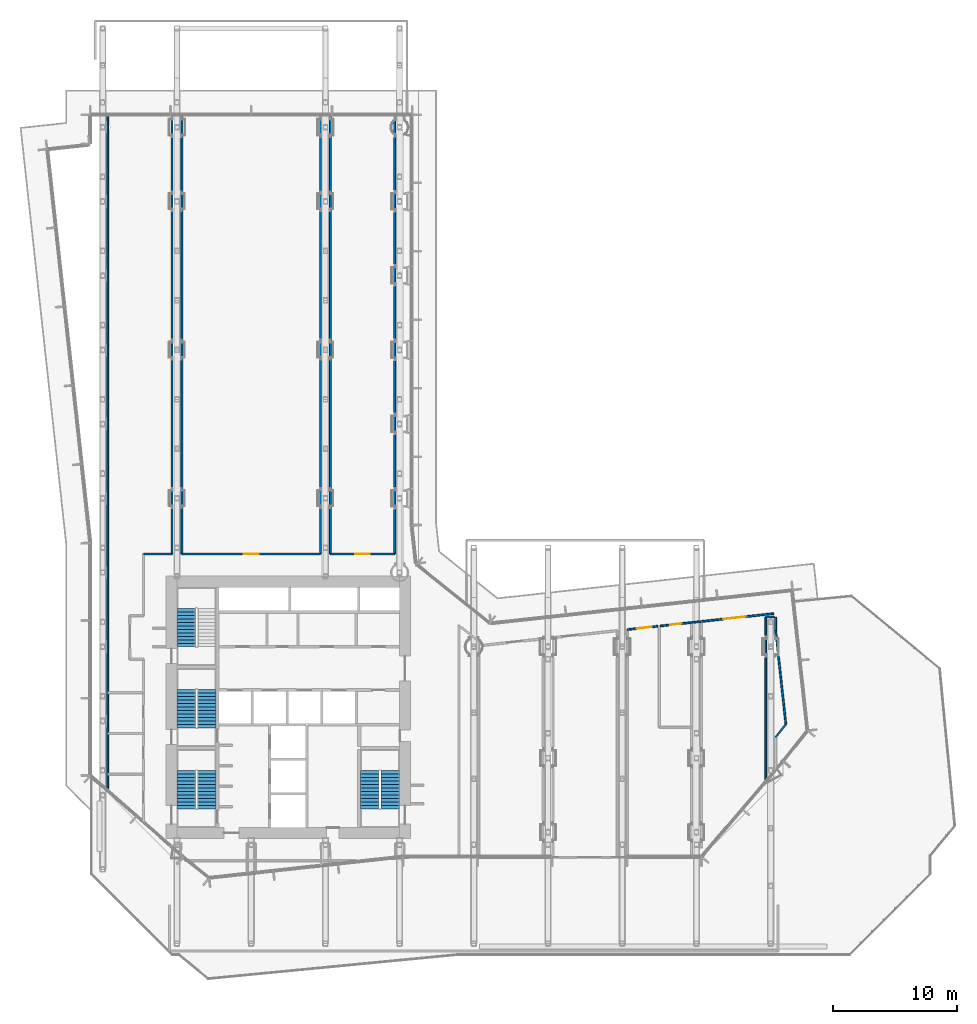
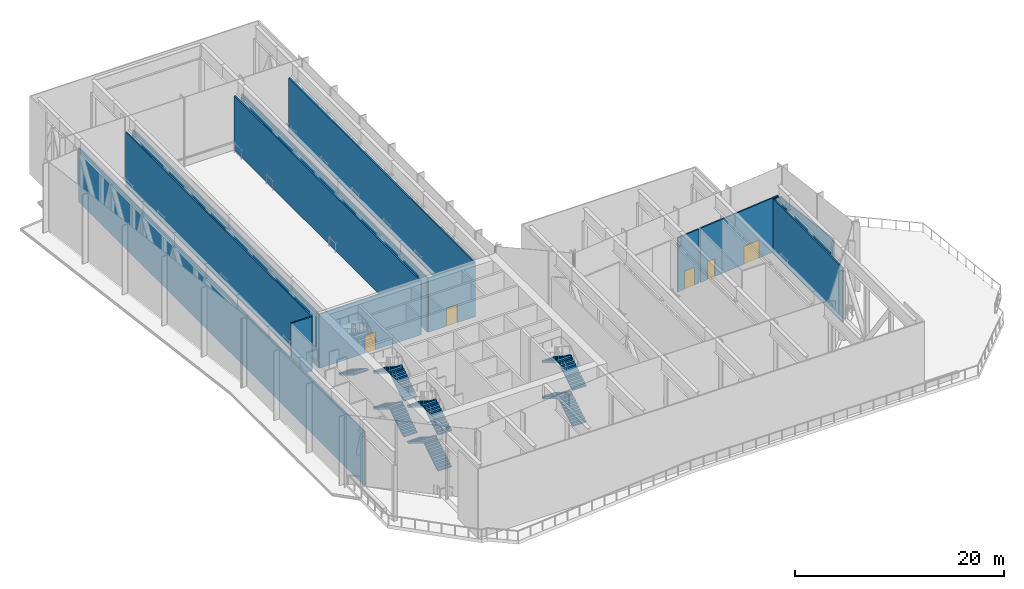
# One storey, part 16 of 25: 17 walls, 13 stair flights, 5 doors, 5 openings, 4 elements without a shape of their own.
"""IFC4 building model written with IfcOpenShell, lengths in metres."""

from ifc_helpers import new_model, si_unit, direction, frame, frame_2d, origin, place, context, subcontext, project, spatial, polyline, rectangle, outline, extrude, material, layer, layer_set, type_object, element, fill, aggregate, save


model = new_model("IFC4")

# Units and contexts
model_context = context("Model", 3, precision=1e-05, world=origin(), true_north=direction((0.0, 1.0)))
body_context = subcontext(model_context, "Body", "Model", "MODEL_VIEW")
ifc_project = project(units=[si_unit("LENGTHUNIT", "METRE"), si_unit("AREAUNIT", "SQUARE_METRE"), si_unit("VOLUMEUNIT", "CUBIC_METRE"), si_unit("PLANEANGLEUNIT", "RADIAN"), si_unit("MASSUNIT", "GRAM", prefix="KILO")], contexts=[model_context])

# Site, building, storey
site_placement = place(None, origin())
site = spatial("IfcSite", under=ifc_project, at=site_placement, CompositionType="ELEMENT")
building_placement = place(site_placement, origin())
building = spatial("IfcBuilding", under=site, at=building_placement, Name="Welwitschia Terrace Campus", CompositionType="ELEMENT")
storey_placement = place(building_placement, frame((0.0, 0.0, 79.39990234375)))
storey = spatial("IfcBuildingStorey", under=building, at=storey_placement, Name="L18", CompositionType="ELEMENT", Elevation=79.39990234375)

# Walls
ifc_material_1 = material(Name="Gypsum board on steel studs", Category="steel")
ifc_layer = layer(ifc_material_1, 0.14990234375)
ifc_layer_set = layer_set([ifc_layer], Name="Gypsum board on steel studs")
wall_type = type_object("IfcWallType", Name="Corridor partition 150 EI 30", PredefinedType="PARTITIONING", material=ifc_layer_set)
wall_1_placement = place(storey_placement, frame((0.39990234375, 8.35009765625, 0.0), z_axis=(0.0, 0.0, 1.0), x_axis=(0.0, 1.0, 0.0)))
element("IfcWall", 1, at=wall_1_placement, inside=storey, type_object=wall_type, Name="Partition", PredefinedType="PARTITIONING", context=body_context, shape_type="SweptSolid", body=[
    extrude(rectangle(XDim=54.64990234375, YDim=0.14990234375, at=frame_2d((27.324951171875, 0.0))), origin(), (0.0, 0.0, 1.0), 6.330078125),
])
wall_2_placement = place(storey_placement, frame((3.300048828125, 27.5, 0.0), z_axis=(0.0, 0.0, 1.0), x_axis=(1.0, 0.0, 0.0)))
element("IfcWall", 2, at=wall_2_placement, inside=storey, type_object=wall_type, Name="Partition", PredefinedType="PARTITIONING", context=body_context, shape_type="SweptSolid", body=[
    extrude(rectangle(XDim=2.300048828125, YDim=0.14990234375, at=frame_2d((1.14990234375, 0.0))), origin(), (0.0, 0.0, 1.0), 6.330078125),
])
wall_3_placement = place(storey_placement, frame((5.60009765625, 27.5, 0.0), z_axis=(0.0, 0.0, 1.0), x_axis=(0.0, 1.0, 0.0)))
element("IfcWall", 3, at=wall_3_placement, inside=storey, type_object=wall_type, Name="Partition", PredefinedType="PARTITIONING", context=body_context, shape_type="SweptSolid", body=[
    extrude(rectangle(XDim=35.465087890625, YDim=0.14990234375, at=frame_2d((17.732421875, 0.0))), origin(), (0.0, 0.0, 1.0), 6.330078125),
])
wall_4_placement = place(storey_placement, frame((6.39990234375, 27.5, 0.0), z_axis=(0.0, 0.0, 1.0), x_axis=(0.0, 1.0, 0.0)))
element("IfcWall", 4, at=wall_4_placement, inside=storey, type_object=wall_type, Name="Partition", PredefinedType="PARTITIONING", context=body_context, shape_type="SweptSolid", body=[
    extrude(rectangle(XDim=35.5, YDim=0.14990234375, at=frame_2d((17.75, 0.0))), origin(), (0.0, 0.0, 1.0), 6.330078125),
])

# Wall, opening, door
wall_5_placement = place(storey_placement, frame((6.39990234375, 27.5, 0.0), z_axis=(0.0, 0.0, 1.0), x_axis=(1.0, 0.0, 0.0)))
wall_5 = element("IfcWall", 5, at=wall_5_placement, inside=storey, type_object=wall_type, Name="Partition", PredefinedType="PARTITIONING", context=body_context, shape_type="SweptSolid", body=[
    extrude(rectangle(XDim=11.2001953125, YDim=0.14990234375, at=frame_2d((5.60009765625, 0.0))), origin(), (0.0, 0.0, 1.0), 6.330078125),
])
opening_1_placement = place(wall_5_placement, frame((5.0, 0.0, 0.0)))
opening_1 = element("IfcOpeningElement", 6, at=opening_1_placement, cuts=wall_5, Name="Opening DI12", PredefinedType="OPENING", context=body_context, shape_type="SweptSolid", body=[
    extrude(rectangle(XDim=1.199951171875, YDim=2.10009765625, at=frame_2d((0.60009765625, 1.050048828125))), frame((0.0, 0.0849609375, 0.0), z_axis=(0.0, -1.0, 0.0), x_axis=(1.0, 0.0, 0.0)), (0.0, 0.0, 1.0), 0.169921875),
])
ifc_material_2 = material(Name="Timber veneered door", Category="wood")
door_type_1 = type_object("IfcDoorType", Name="Interior door DI12", OperationType="NOTDEFINED", PredefinedType="DOOR", material=ifc_material_2)
door_1_placement = place(opening_1_placement, origin())
door_1 = element("IfcDoor", 7, at=door_1_placement, inside=storey, type_object=door_type_1, Name="Door L18 413", OperationType="SINGLE_SWING_RIGHT", OverallHeight=2.10009765625, OverallWidth=1.199951171875, PredefinedType="DOOR", context=body_context, shape_type="SweptSolid", body=[
    extrude(rectangle(XDim=1.199951171875, YDim=2.10009765625, at=frame_2d((0.60009765625, 1.050048828125))), frame((0.0, 0.02490234375, 0.0), z_axis=(0.0, -1.0, 0.0), x_axis=(1.0, 0.0, 0.0)), (0.0, 0.0, 1.0), 0.050048828125),
])
fill(opening_1, door_1)

# Walls
wall_6_placement = place(storey_placement, frame((17.60009765625, 27.5, 0.0), z_axis=(0.0, 0.0, 1.0), x_axis=(0.0, 1.0, 0.0)))
element("IfcWall", 8, at=wall_6_placement, inside=storey, type_object=wall_type, Name="Partition", PredefinedType="PARTITIONING", context=body_context, shape_type="SweptSolid", body=[
    extrude(rectangle(XDim=35.5, YDim=0.14990234375, at=frame_2d((17.75, 0.0))), origin(), (0.0, 0.0, 1.0), 6.330078125),
])
wall_7_placement = place(storey_placement, frame((18.39990234375, 27.5, 0.0), z_axis=(0.0, 0.0, 1.0), x_axis=(0.0, 1.0, 0.0)))
element("IfcWall", 9, at=wall_7_placement, inside=storey, type_object=wall_type, Name="Partition", PredefinedType="PARTITIONING", context=body_context, shape_type="SweptSolid", body=[
    extrude(rectangle(XDim=35.465087890625, YDim=0.14990234375, at=frame_2d((17.732421875, 0.0))), origin(), (0.0, 0.0, 1.0), 6.330078125),
])

# Wall, opening, door
wall_8_placement = place(storey_placement, frame((18.39990234375, 27.5, 0.0), z_axis=(0.0, 0.0, 1.0), x_axis=(1.0, 0.0, 0.0)))
wall_8 = element("IfcWall", 10, at=wall_8_placement, inside=storey, type_object=wall_type, Name="Partition", PredefinedType="PARTITIONING", context=body_context, shape_type="SweptSolid", body=[
    extrude(rectangle(XDim=5.2001953125, YDim=0.14990234375, at=frame_2d((2.60009765625, 0.0))), origin(), (0.0, 0.0, 1.0), 6.330078125),
])
opening_2_placement = place(wall_8_placement, frame((2.0, 0.0, 0.0)))
opening_2 = element("IfcOpeningElement", 11, at=opening_2_placement, cuts=wall_8, Name="Opening DI12", PredefinedType="OPENING", context=body_context, shape_type="SweptSolid", body=[
    extrude(rectangle(XDim=1.199951171875, YDim=2.10009765625, at=frame_2d((0.60009765625, 1.050048828125))), frame((0.0, 0.0849609375, 0.0), z_axis=(0.0, -1.0, 0.0), x_axis=(1.0, 0.0, 0.0)), (0.0, 0.0, 1.0), 0.169921875),
])
door_2_placement = place(opening_2_placement, origin())
door_2 = element("IfcDoor", 12, at=door_2_placement, inside=storey, type_object=door_type_1, Name="Door L18 414", OperationType="SINGLE_SWING_LEFT", OverallHeight=2.10009765625, OverallWidth=1.199951171875, PredefinedType="DOOR", context=body_context, shape_type="SweptSolid", body=[
    extrude(rectangle(XDim=1.199951171875, YDim=2.10009765625, at=frame_2d((0.60009765625, 1.050048828125))), frame((0.0, 0.02490234375, 0.0), z_axis=(0.0, -1.0, 0.0), x_axis=(1.0, 0.0, 0.0)), (0.0, 0.0, 1.0), 0.050048828125),
])
fill(opening_2, door_2)

# Wall
wall_9_placement = place(storey_placement, frame((23.60009765625, 27.5, 0.0), z_axis=(0.0, 0.0, 1.0), x_axis=(0.0, 1.0, 0.0)))
element("IfcWall", 13, at=wall_9_placement, inside=storey, type_object=wall_type, Name="Partition", PredefinedType="PARTITIONING", context=body_context, shape_type="SweptSolid", body=[
    extrude(rectangle(XDim=35.5, YDim=0.14990234375, at=frame_2d((17.75, 0.0))), origin(), (0.0, 0.0, 1.0), 6.330078125),
])

# Wall, opening, door
wall_10_placement = place(storey_placement, frame((44.8701171875, 21.656005859375, 0.0), z_axis=(0.0, 0.0, 1.0), x_axis=(-0.994099865358, -0.10846869454, 0.0)))
wall_10 = element("IfcWall", 14, at=wall_10_placement, inside=storey, type_object=wall_type, Name="Partition", PredefinedType="PARTITIONING", context=body_context, shape_type="SweptSolid", body=[
    extrude(rectangle(XDim=2.48486328125, YDim=0.14990234375, at=frame_2d((1.242431640625, 0.0))), origin(), (0.0, 0.0, 1.0), 6.330078125),
])
opening_3_placement = place(wall_10_placement, frame((0.5, 0.0, 0.0)))
opening_3 = element("IfcOpeningElement", 15, at=opening_3_placement, cuts=wall_10, Name="Opening DI12", PredefinedType="OPENING", context=body_context, shape_type="SweptSolid", body=[
    extrude(rectangle(XDim=1.199951171875, YDim=2.10009765625, at=frame_2d((0.60009765625, 1.050048828125))), frame((0.0, 0.0849609375, 0.0), z_axis=(0.0, -1.0, 0.0), x_axis=(1.0, 0.0, 0.0)), (0.0, 0.0, 1.0), 0.169921875),
])
door_3_placement = place(opening_3_placement, origin())
door_3 = element("IfcDoor", 16, at=door_3_placement, inside=storey, type_object=door_type_1, Name="Door L18 417", OperationType="SINGLE_SWING_RIGHT", OverallHeight=2.10009765625, OverallWidth=1.199951171875, PredefinedType="DOOR", context=body_context, shape_type="SweptSolid", body=[
    extrude(rectangle(XDim=1.199951171875, YDim=2.10009765625, at=frame_2d((0.60009765625, 1.050048828125))), frame((0.0, 0.02490234375, 0.0), z_axis=(0.0, -1.0, 0.0), x_axis=(1.0, 0.0, 0.0)), (0.0, 0.0, 1.0), 0.050048828125),
])
fill(opening_3, door_3)

wall_11_placement = place(storey_placement, frame((47.60009765625, 21.9541015625, 0.0), z_axis=(0.0, 0.0, 1.0), x_axis=(0.994095951104, 0.108504562106, 0.0)))
wall_11 = element("IfcWall", 17, at=wall_11_placement, inside=storey, type_object=wall_type, Name="Partition", PredefinedType="PARTITIONING", context=body_context, shape_type="SweptSolid", body=[
    extrude(rectangle(XDim=6.689453125, YDim=0.14990234375, at=frame_2d((3.3447265625, 0.0))), origin(), (0.0, 0.0, 1.0), 6.330078125),
])
opening_4_placement = place(wall_11_placement, frame((2.589599609375, 0.0, 0.0)))
opening_4 = element("IfcOpeningElement", 18, at=opening_4_placement, cuts=wall_11, Name="Opening DI18", PredefinedType="OPENING", context=body_context, shape_type="SweptSolid", body=[
    extrude(rectangle(XDim=1.800048828125, YDim=2.10009765625, at=frame_2d((0.89990234375, 1.050048828125))), frame((0.0, 0.0849609375, 0.0), z_axis=(0.0, -1.0, 0.0), x_axis=(1.0, 0.0, 0.0)), (0.0, 0.0, 1.0), 0.169921875),
])
ifc_material_3 = material(Name="Timber veneered door", Category="wood")
door_type_2 = type_object("IfcDoorType", Name="Interior door DI18", OperationType="DOUBLE_DOOR_SINGLE_SWING", PredefinedType="DOOR", material=ifc_material_3)
door_4_placement = place(opening_4_placement, origin())
door_4 = element("IfcDoor", 19, at=door_4_placement, inside=storey, type_object=door_type_2, Name="Door L18 418", OperationType="SINGLE_SWING_LEFT", OverallHeight=2.10009765625, OverallWidth=1.800048828125, PredefinedType="DOOR", context=body_context, shape_type="SweptSolid", body=[
    extrude(rectangle(XDim=1.800048828125, YDim=2.10009765625, at=frame_2d((0.89990234375, 1.050048828125))), frame((0.0, 0.02490234375, 0.0), z_axis=(0.0, -1.0, 0.0), x_axis=(1.0, 0.0, 0.0)), (0.0, 0.0, 1.0), 0.050048828125),
])
fill(opening_4, door_4)

wall_12_placement = place(storey_placement, frame((47.60009765625, 21.9599609375, 0.0), z_axis=(0.0, 0.0, 1.0), x_axis=(-0.993835479882, -0.110864958068, 0.0)))
wall_12 = element("IfcWall", 20, at=wall_12_placement, inside=storey, type_object=wall_type, Name="Partition", PredefinedType="PARTITIONING", context=body_context, shape_type="SweptSolid", body=[
    extrude(rectangle(XDim=2.53466796875, YDim=0.14990234375, at=frame_2d((1.267333984375, 0.0))), origin(), (0.0, 0.0, 1.0), 6.330078125),
])
opening_5_placement = place(wall_12_placement, frame((0.834716796875, 0.0, 0.0)))
opening_5 = element("IfcOpeningElement", 21, at=opening_5_placement, cuts=wall_12, Name="Opening DI09", PredefinedType="OPENING", context=body_context, shape_type="SweptSolid", body=[
    extrude(rectangle(XDim=0.89990234375, YDim=2.10009765625, at=frame_2d((0.449951171875, 1.050048828125))), frame((0.0, 0.0849609375, 0.0), z_axis=(0.0, -1.0, 0.0), x_axis=(1.0, 0.0, 0.0)), (0.0, 0.0, 1.0), 0.169921875),
])
ifc_material_4 = material(Name="Timber veneered door", Category="wood")
door_type_3 = type_object("IfcDoorType", Name="Interior door DI09", OperationType="NOTDEFINED", PredefinedType="DOOR", material=ifc_material_4)
door_5_placement = place(opening_5_placement, origin())
door_5 = element("IfcDoor", 22, at=door_5_placement, inside=storey, type_object=door_type_3, Name="Door L18 419", OperationType="SINGLE_SWING_RIGHT", OverallHeight=2.10009765625, OverallWidth=0.89990234375, PredefinedType="DOOR", context=body_context, shape_type="SweptSolid", body=[
    extrude(rectangle(XDim=0.89990234375, YDim=2.10009765625, at=frame_2d((0.449951171875, 1.050048828125))), frame((0.0, 0.02490234375, 0.0), z_axis=(0.0, -1.0, 0.0), x_axis=(1.0, 0.0, 0.0)), (0.0, 0.0, 1.0), 0.050048828125),
])
fill(opening_5, door_5)

# Walls
wall_13_placement = place(storey_placement, frame((53.60009765625, 9.080078125, 0.0), z_axis=(0.0, 0.0, 1.0), x_axis=(0.0, 1.0, 0.0)))
element("IfcWall", 23, at=wall_13_placement, inside=storey, type_object=wall_type, Name="Partition", PredefinedType="PARTITIONING", context=body_context, shape_type="SweptSolid", body=[
    extrude(rectangle(XDim=13.31982421875, YDim=0.14990234375, at=frame_2d((6.659912109375, 0.0))), origin(), (0.0, 0.0, 1.0), 6.330078125),
])
wall_14_placement = place(storey_placement, frame((53.60009765625, 22.39990234375, 0.0), z_axis=(0.0, 0.0, 1.0), x_axis=(1.0, 0.0, 0.0)))
element("IfcWall", 24, at=wall_14_placement, inside=storey, type_object=wall_type, Name="Partition", PredefinedType="PARTITIONING", context=body_context, shape_type="SweptSolid", body=[
    extrude(rectangle(XDim=0.679931640625, YDim=0.14990234375, at=frame_2d((0.33984375, 0.0))), origin(), (0.0, 0.0, 1.0), 6.330078125),
])
wall_15_placement = place(storey_placement, frame((54.39990234375, 12.68994140625, 0.0), z_axis=(0.0, 0.0, 1.0), x_axis=(0.623799659259, 0.781584278954, 0.0)))
element("IfcWall", 25, at=wall_15_placement, inside=storey, type_object=wall_type, Name="Partition", PredefinedType="PARTITIONING", context=body_context, shape_type="SweptSolid", body=[
    extrude(rectangle(XDim=1.33056640625, YDim=0.14990234375, at=frame_2d((0.665283203125, 0.0))), origin(), (0.0, 0.0, 1.0), 6.330078125),
])
wall_16_placement = place(storey_placement, frame((54.39990234375, 21.320068359375, 0.0), z_axis=(0.0, 0.0, 1.0), x_axis=(0.0, 1.0, 0.0)))
element("IfcWall", 26, at=wall_16_placement, inside=storey, type_object=wall_type, Name="Partition", PredefinedType="PARTITIONING", context=body_context, shape_type="SweptSolid", body=[
    extrude(rectangle(XDim=1.079833984375, YDim=0.14990234375, at=frame_2d((0.5400390625, 0.0))), origin(), (0.0, 0.0, 1.0), 6.330078125),
])
wall_17_placement = place(storey_placement, frame((54.39990234375, 21.320068359375, 0.0), z_axis=(0.0, 0.0, 1.0), x_axis=(0.108715236079, -0.994072933664, 0.0)))
element("IfcWall", 27, at=wall_17_placement, inside=storey, type_object=wall_type, Name="Partition", PredefinedType="PARTITIONING", context=body_context, shape_type="SweptSolid", body=[
    extrude(rectangle(XDim=7.63525390625, YDim=0.14990234375, at=frame_2d((3.817626953125, 0.0))), origin(), (0.0, 0.0, 1.0), 6.330078125),
])

# Stair, stair flights
ifc_material_5 = material(Name="Concrete C40/50", Category="concrete")
stair_type = type_object("IfcStairType", Name="Stair 48R 175 W1500", PredefinedType="HALF_TURN_STAIR", material=ifc_material_5)
stair_1_placement = place(storey_placement, origin())
stair_1 = element("IfcStair", 28, at=stair_1_placement, inside=storey, type_object=stair_type, Name="L18 Exit stair S1", PredefinedType="HALF_TURN_STAIR")
ifc_material_6 = material(Name="Concrete C40/50", Category="concrete")
stair_flight_type = type_object("IfcStairFlightType", Name="Stair flight 48R 175 W1500", PredefinedType="STRAIGHT", material=ifc_material_6)
stair_flight_1_placement = place(storey_placement, frame((8.39990234375, 6.89990234375, 0.0), z_axis=(0.0, 0.0, 1.0), x_axis=(0.0, 1.0, 0.0)))
stair_flight_1 = element("IfcStairFlight", 29, at=stair_flight_1_placement, type_object=stair_flight_type, Name="S1 flight 1", NumberOfRisers=12, NumberOfTreads=11, PredefinedType="STRAIGHT", RiserHeight=0.175, TreadLength=0.28, context=body_context, shape_type="SweptSolid", body=[
    extrude(outline(polyline([(0.0, 0.0), (0.0, 0.175048828125), (0.280029296875, 0.175048828125), (0.280029296875, 0.35009765625), (0.56005859375, 0.35009765625), (0.56005859375, 0.52490234375), (0.840087890625, 0.52490234375), (0.840087890625, 0.699951171875), (1.1201171875, 0.699951171875), (1.1201171875, 0.875), (1.39990234375, 0.875), (1.39990234375, 1.050048828125), (1.679931640625, 1.050048828125), (1.679931640625, 1.22509765625), (1.9599609375, 1.22509765625), (1.9599609375, 1.39990234375), (2.239990234375, 1.39990234375), (2.239990234375, 1.574951171875), (2.52001953125, 1.574951171875), (2.52001953125, 1.75), (2.800048828125, 1.75), (2.800048828125, 1.925048828125), (3.080078125, 1.925048828125), (3.080078125, 2.10009765625), (3.080078125, 1.748291015625), (0.28271484375, 0.0), (0.0, 0.0)])), frame((0.0, 0.75, 0.0), z_axis=(0.0, -1.0, 0.0), x_axis=(1.0, 0.0, 0.0)), (0.0, 0.0, 1.0), 1.5),
])
stair_flight_2_placement = place(storey_placement, frame((6.75, 9.97998046875, 2.10009765625), z_axis=(0.0, 0.0, 1.0), x_axis=(0.0, -1.0, 0.0)))
stair_flight_2 = element("IfcStairFlight", 30, at=stair_flight_2_placement, type_object=stair_flight_type, Name="S1 flight 2", NumberOfRisers=12, NumberOfTreads=11, PredefinedType="STRAIGHT", RiserHeight=0.175, TreadLength=0.28, context=body_context, shape_type="SweptSolid", body=[
    extrude(outline(polyline([(0.0, 0.0), (0.0, 0.175048828125), (0.280029296875, 0.175048828125), (0.280029296875, 0.35009765625), (0.56005859375, 0.35009765625), (0.56005859375, 0.52490234375), (0.840087890625, 0.52490234375), (0.840087890625, 0.699951171875), (1.1201171875, 0.699951171875), (1.1201171875, 0.875), (1.39990234375, 0.875), (1.39990234375, 1.050048828125), (1.679931640625, 1.050048828125), (1.679931640625, 1.22509765625), (1.9599609375, 1.22509765625), (1.9599609375, 1.39990234375), (2.239990234375, 1.39990234375), (2.239990234375, 1.574951171875), (2.52001953125, 1.574951171875), (2.52001953125, 1.75), (2.800048828125, 1.75), (2.800048828125, 1.925048828125), (3.080078125, 1.925048828125), (3.080078125, 2.10009765625), (3.080078125, 1.748291015625), (0.28271484375, 0.0), (0.0, 0.0)])), frame((0.0, 0.75, 0.0), z_axis=(0.0, -1.0, 0.0), x_axis=(1.0, 0.0, 0.0)), (0.0, 0.0, 1.0), 1.5),
])
stair_flight_3_placement = place(storey_placement, frame((8.39990234375, 6.89990234375, 4.2001953125), z_axis=(0.0, 0.0, 1.0), x_axis=(0.0, 1.0, 0.0)))
stair_flight_3 = element("IfcStairFlight", 31, at=stair_flight_3_placement, type_object=stair_flight_type, Name="S1 flight 3", NumberOfRisers=12, NumberOfTreads=11, PredefinedType="STRAIGHT", RiserHeight=0.175, TreadLength=0.28, context=body_context, shape_type="SweptSolid", body=[
    extrude(outline(polyline([(0.0, 0.0), (0.0, 0.175048828125), (0.280029296875, 0.175048828125), (0.280029296875, 0.35009765625), (0.56005859375, 0.35009765625), (0.56005859375, 0.52490234375), (0.840087890625, 0.52490234375), (0.840087890625, 0.699951171875), (1.1201171875, 0.699951171875), (1.1201171875, 0.875), (1.39990234375, 0.875), (1.39990234375, 1.050048828125), (1.679931640625, 1.050048828125), (1.679931640625, 1.22509765625), (1.9599609375, 1.22509765625), (1.9599609375, 1.39990234375), (2.239990234375, 1.39990234375), (2.239990234375, 1.574951171875), (2.52001953125, 1.574951171875), (2.52001953125, 1.75), (2.800048828125, 1.75), (2.800048828125, 1.925048828125), (3.080078125, 1.925048828125), (3.080078125, 2.10009765625), (3.080078125, 1.748291015625), (0.28271484375, 0.0), (0.0, 0.0)])), frame((0.0, 0.75, 0.0), z_axis=(0.0, -1.0, 0.0), x_axis=(1.0, 0.0, 0.0)), (0.0, 0.0, 1.0), 1.5),
])
stair_flight_4_placement = place(storey_placement, frame((6.75, 9.97998046875, 6.300048828125), z_axis=(0.0, 0.0, 1.0), x_axis=(0.0, -1.0, 0.0)))
stair_flight_4 = element("IfcStairFlight", 32, at=stair_flight_4_placement, type_object=stair_flight_type, Name="S1 flight 4", NumberOfRisers=12, NumberOfTreads=11, PredefinedType="STRAIGHT", RiserHeight=0.175, TreadLength=0.28, context=body_context, shape_type="SweptSolid", body=[
    extrude(outline(polyline([(0.0, 0.0), (0.0, 0.175048828125), (0.280029296875, 0.175048828125), (0.280029296875, 0.35009765625), (0.56005859375, 0.35009765625), (0.56005859375, 0.52490234375), (0.840087890625, 0.52490234375), (0.840087890625, 0.699951171875), (1.1201171875, 0.699951171875), (1.1201171875, 0.875), (1.39990234375, 0.875), (1.39990234375, 1.050048828125), (1.679931640625, 1.050048828125), (1.679931640625, 1.22509765625), (1.9599609375, 1.22509765625), (1.9599609375, 1.39990234375), (2.239990234375, 1.39990234375), (2.239990234375, 1.574951171875), (2.52001953125, 1.574951171875), (2.52001953125, 1.75), (2.800048828125, 1.75), (2.800048828125, 1.925048828125), (3.080078125, 1.925048828125), (3.080078125, 2.10009765625), (3.080078125, 1.748291015625), (0.28271484375, 0.0), (0.0, 0.0)])), frame((0.0, 0.75, 0.0), z_axis=(0.0, -1.0, 0.0), x_axis=(1.0, 0.0, 0.0)), (0.0, 0.0, 1.0), 1.5),
])
aggregate(stair_1, [stair_flight_1, stair_flight_2, stair_flight_3, stair_flight_4])

stair_2_placement = place(storey_placement, origin())
stair_2 = element("IfcStair", 33, at=stair_2_placement, inside=storey, type_object=stair_type, Name="L18 Exit stair S3", PredefinedType="HALF_TURN_STAIR")
stair_flight_5_placement = place(storey_placement, frame((8.39990234375, 13.449951171875, 0.0), z_axis=(0.0, 0.0, 1.0), x_axis=(0.0, 1.0, 0.0)))
stair_flight_5 = element("IfcStairFlight", 34, at=stair_flight_5_placement, type_object=stair_flight_type, Name="S3 flight 1", NumberOfRisers=12, NumberOfTreads=11, PredefinedType="STRAIGHT", RiserHeight=0.175, TreadLength=0.28, context=body_context, shape_type="SweptSolid", body=[
    extrude(outline(polyline([(0.0, 0.0), (0.0, 0.175048828125), (0.280029296875, 0.175048828125), (0.280029296875, 0.35009765625), (0.56005859375, 0.35009765625), (0.56005859375, 0.52490234375), (0.840087890625, 0.52490234375), (0.840087890625, 0.699951171875), (1.1201171875, 0.699951171875), (1.1201171875, 0.875), (1.39990234375, 0.875), (1.39990234375, 1.050048828125), (1.679931640625, 1.050048828125), (1.679931640625, 1.22509765625), (1.9599609375, 1.22509765625), (1.9599609375, 1.39990234375), (2.239990234375, 1.39990234375), (2.239990234375, 1.574951171875), (2.52001953125, 1.574951171875), (2.52001953125, 1.75), (2.800048828125, 1.75), (2.800048828125, 1.925048828125), (3.080078125, 1.925048828125), (3.080078125, 2.10009765625), (3.080078125, 1.748291015625), (0.28271484375, 0.0), (0.0, 0.0)])), frame((0.0, 0.75, 0.0), z_axis=(0.0, -1.0, 0.0), x_axis=(1.0, 0.0, 0.0)), (0.0, 0.0, 1.0), 1.5),
])
stair_flight_6_placement = place(storey_placement, frame((6.75, 16.530029296875, 2.10009765625), z_axis=(0.0, 0.0, 1.0), x_axis=(0.0, -1.0, 0.0)))
stair_flight_6 = element("IfcStairFlight", 35, at=stair_flight_6_placement, type_object=stair_flight_type, Name="S3 flight 2", NumberOfRisers=12, NumberOfTreads=11, PredefinedType="STRAIGHT", RiserHeight=0.175, TreadLength=0.28, context=body_context, shape_type="SweptSolid", body=[
    extrude(outline(polyline([(0.0, 0.0), (0.0, 0.175048828125), (0.280029296875, 0.175048828125), (0.280029296875, 0.35009765625), (0.56005859375, 0.35009765625), (0.56005859375, 0.52490234375), (0.840087890625, 0.52490234375), (0.840087890625, 0.699951171875), (1.1201171875, 0.699951171875), (1.1201171875, 0.875), (1.39990234375, 0.875), (1.39990234375, 1.050048828125), (1.679931640625, 1.050048828125), (1.679931640625, 1.22509765625), (1.9599609375, 1.22509765625), (1.9599609375, 1.39990234375), (2.239990234375, 1.39990234375), (2.239990234375, 1.574951171875), (2.52001953125, 1.574951171875), (2.52001953125, 1.75), (2.800048828125, 1.75), (2.800048828125, 1.925048828125), (3.080078125, 1.925048828125), (3.080078125, 2.10009765625), (3.080078125, 1.748291015625), (0.28271484375, 0.0), (0.0, 0.0)])), frame((0.0, 0.75, 0.0), z_axis=(0.0, -1.0, 0.0), x_axis=(1.0, 0.0, 0.0)), (0.0, 0.0, 1.0), 1.5),
])
stair_flight_7_placement = place(storey_placement, frame((8.39990234375, 13.449951171875, 4.2001953125), z_axis=(0.0, 0.0, 1.0), x_axis=(0.0, 1.0, 0.0)))
stair_flight_7 = element("IfcStairFlight", 36, at=stair_flight_7_placement, type_object=stair_flight_type, Name="S3 flight 3", NumberOfRisers=12, NumberOfTreads=11, PredefinedType="STRAIGHT", RiserHeight=0.175, TreadLength=0.28, context=body_context, shape_type="SweptSolid", body=[
    extrude(outline(polyline([(0.0, 0.0), (0.0, 0.175048828125), (0.280029296875, 0.175048828125), (0.280029296875, 0.35009765625), (0.56005859375, 0.35009765625), (0.56005859375, 0.52490234375), (0.840087890625, 0.52490234375), (0.840087890625, 0.699951171875), (1.1201171875, 0.699951171875), (1.1201171875, 0.875), (1.39990234375, 0.875), (1.39990234375, 1.050048828125), (1.679931640625, 1.050048828125), (1.679931640625, 1.22509765625), (1.9599609375, 1.22509765625), (1.9599609375, 1.39990234375), (2.239990234375, 1.39990234375), (2.239990234375, 1.574951171875), (2.52001953125, 1.574951171875), (2.52001953125, 1.75), (2.800048828125, 1.75), (2.800048828125, 1.925048828125), (3.080078125, 1.925048828125), (3.080078125, 2.10009765625), (3.080078125, 1.748291015625), (0.28271484375, 0.0), (0.0, 0.0)])), frame((0.0, 0.75, 0.0), z_axis=(0.0, -1.0, 0.0), x_axis=(1.0, 0.0, 0.0)), (0.0, 0.0, 1.0), 1.5),
])
stair_flight_8_placement = place(storey_placement, frame((6.75, 16.530029296875, 6.300048828125), z_axis=(0.0, 0.0, 1.0), x_axis=(0.0, -1.0, 0.0)))
stair_flight_8 = element("IfcStairFlight", 37, at=stair_flight_8_placement, type_object=stair_flight_type, Name="S3 flight 4", NumberOfRisers=12, NumberOfTreads=11, PredefinedType="STRAIGHT", RiserHeight=0.175, TreadLength=0.28, context=body_context, shape_type="SweptSolid", body=[
    extrude(outline(polyline([(0.0, 0.0), (0.0, 0.175048828125), (0.280029296875, 0.175048828125), (0.280029296875, 0.35009765625), (0.56005859375, 0.35009765625), (0.56005859375, 0.52490234375), (0.840087890625, 0.52490234375), (0.840087890625, 0.699951171875), (1.1201171875, 0.699951171875), (1.1201171875, 0.875), (1.39990234375, 0.875), (1.39990234375, 1.050048828125), (1.679931640625, 1.050048828125), (1.679931640625, 1.22509765625), (1.9599609375, 1.22509765625), (1.9599609375, 1.39990234375), (2.239990234375, 1.39990234375), (2.239990234375, 1.574951171875), (2.52001953125, 1.574951171875), (2.52001953125, 1.75), (2.800048828125, 1.75), (2.800048828125, 1.925048828125), (3.080078125, 1.925048828125), (3.080078125, 2.10009765625), (3.080078125, 1.748291015625), (0.28271484375, 0.0), (0.0, 0.0)])), frame((0.0, 0.75, 0.0), z_axis=(0.0, -1.0, 0.0), x_axis=(1.0, 0.0, 0.0)), (0.0, 0.0, 1.0), 1.5),
])
aggregate(stair_2, [stair_flight_5, stair_flight_6, stair_flight_7, stair_flight_8])

# Stair, stair flight
stair_3_placement = place(storey_placement, origin())
stair_3 = element("IfcStair", 38, at=stair_3_placement, inside=storey, type_object=stair_type, Name="L18 Exit stair S4", PredefinedType="HALF_TURN_STAIR")
stair_flight_9_placement = place(storey_placement, frame((6.75, 23.080078125, 2.10009765625), z_axis=(0.0, 0.0, 1.0), x_axis=(0.0, -1.0, 0.0)))
stair_flight_9 = element("IfcStairFlight", 39, at=stair_flight_9_placement, type_object=stair_flight_type, Name="S4 flight 2", NumberOfRisers=12, NumberOfTreads=11, PredefinedType="STRAIGHT", RiserHeight=0.175, TreadLength=0.28, context=body_context, shape_type="SweptSolid", body=[
    extrude(outline(polyline([(0.0, 0.0), (0.0, 0.175048828125), (0.280029296875, 0.175048828125), (0.280029296875, 0.35009765625), (0.56005859375, 0.35009765625), (0.56005859375, 0.52490234375), (0.840087890625, 0.52490234375), (0.840087890625, 0.699951171875), (1.1201171875, 0.699951171875), (1.1201171875, 0.875), (1.39990234375, 0.875), (1.39990234375, 1.050048828125), (1.679931640625, 1.050048828125), (1.679931640625, 1.22509765625), (1.9599609375, 1.22509765625), (1.9599609375, 1.39990234375), (2.239990234375, 1.39990234375), (2.239990234375, 1.574951171875), (2.52001953125, 1.574951171875), (2.52001953125, 1.75), (2.800048828125, 1.75), (2.800048828125, 1.925048828125), (3.080078125, 1.925048828125), (3.080078125, 2.10009765625), (3.080078125, 1.748291015625), (0.28271484375, 0.0), (0.0, 0.0)])), frame((0.0, 0.75, 0.0), z_axis=(0.0, -1.0, 0.0), x_axis=(1.0, 0.0, 0.0)), (0.0, 0.0, 1.0), 1.5),
])
aggregate(stair_3, [stair_flight_9])

# Stair, stair flights
stair_4_placement = place(storey_placement, origin())
stair_4 = element("IfcStair", 40, at=stair_4_placement, inside=storey, type_object=stair_type, Name="L18 Exit stair S2", PredefinedType="HALF_TURN_STAIR")
stair_flight_10_placement = place(storey_placement, frame((23.25, 6.89990234375, 0.0), z_axis=(0.0, 0.0, 1.0), x_axis=(0.0, 1.0, 0.0)))
stair_flight_10 = element("IfcStairFlight", 41, at=stair_flight_10_placement, type_object=stair_flight_type, Name="S2 flight 1", NumberOfRisers=12, NumberOfTreads=11, PredefinedType="STRAIGHT", RiserHeight=0.175, TreadLength=0.28, context=body_context, shape_type="SweptSolid", body=[
    extrude(outline(polyline([(0.0, 0.0), (0.0, 0.175048828125), (0.280029296875, 0.175048828125), (0.280029296875, 0.35009765625), (0.56005859375, 0.35009765625), (0.56005859375, 0.52490234375), (0.840087890625, 0.52490234375), (0.840087890625, 0.699951171875), (1.1201171875, 0.699951171875), (1.1201171875, 0.875), (1.39990234375, 0.875), (1.39990234375, 1.050048828125), (1.679931640625, 1.050048828125), (1.679931640625, 1.22509765625), (1.9599609375, 1.22509765625), (1.9599609375, 1.39990234375), (2.239990234375, 1.39990234375), (2.239990234375, 1.574951171875), (2.52001953125, 1.574951171875), (2.52001953125, 1.75), (2.800048828125, 1.75), (2.800048828125, 1.925048828125), (3.080078125, 1.925048828125), (3.080078125, 2.10009765625), (3.080078125, 1.748291015625), (0.28271484375, 0.0), (0.0, 0.0)])), frame((0.0, 0.75, 0.0), z_axis=(0.0, -1.0, 0.0), x_axis=(1.0, 0.0, 0.0)), (0.0, 0.0, 1.0), 1.5),
])
stair_flight_11_placement = place(storey_placement, frame((21.60009765625, 9.97998046875, 2.10009765625), z_axis=(0.0, 0.0, 1.0), x_axis=(0.0, -1.0, 0.0)))
stair_flight_11 = element("IfcStairFlight", 42, at=stair_flight_11_placement, type_object=stair_flight_type, Name="S2 flight 2", NumberOfRisers=12, NumberOfTreads=11, PredefinedType="STRAIGHT", RiserHeight=0.175, TreadLength=0.28, context=body_context, shape_type="SweptSolid", body=[
    extrude(outline(polyline([(0.0, 0.0), (0.0, 0.175048828125), (0.280029296875, 0.175048828125), (0.280029296875, 0.35009765625), (0.56005859375, 0.35009765625), (0.56005859375, 0.52490234375), (0.840087890625, 0.52490234375), (0.840087890625, 0.699951171875), (1.1201171875, 0.699951171875), (1.1201171875, 0.875), (1.39990234375, 0.875), (1.39990234375, 1.050048828125), (1.679931640625, 1.050048828125), (1.679931640625, 1.22509765625), (1.9599609375, 1.22509765625), (1.9599609375, 1.39990234375), (2.239990234375, 1.39990234375), (2.239990234375, 1.574951171875), (2.52001953125, 1.574951171875), (2.52001953125, 1.75), (2.800048828125, 1.75), (2.800048828125, 1.925048828125), (3.080078125, 1.925048828125), (3.080078125, 2.10009765625), (3.080078125, 1.748291015625), (0.28271484375, 0.0), (0.0, 0.0)])), frame((0.0, 0.75, 0.0), z_axis=(0.0, -1.0, 0.0), x_axis=(1.0, 0.0, 0.0)), (0.0, 0.0, 1.0), 1.5),
])
stair_flight_12_placement = place(storey_placement, frame((23.25, 6.89990234375, 4.2001953125), z_axis=(0.0, 0.0, 1.0), x_axis=(0.0, 1.0, 0.0)))
stair_flight_12 = element("IfcStairFlight", 43, at=stair_flight_12_placement, type_object=stair_flight_type, Name="S2 flight 3", NumberOfRisers=12, NumberOfTreads=11, PredefinedType="STRAIGHT", RiserHeight=0.175, TreadLength=0.28, context=body_context, shape_type="SweptSolid", body=[
    extrude(outline(polyline([(0.0, 0.0), (0.0, 0.175048828125), (0.280029296875, 0.175048828125), (0.280029296875, 0.35009765625), (0.56005859375, 0.35009765625), (0.56005859375, 0.52490234375), (0.840087890625, 0.52490234375), (0.840087890625, 0.699951171875), (1.1201171875, 0.699951171875), (1.1201171875, 0.875), (1.39990234375, 0.875), (1.39990234375, 1.050048828125), (1.679931640625, 1.050048828125), (1.679931640625, 1.22509765625), (1.9599609375, 1.22509765625), (1.9599609375, 1.39990234375), (2.239990234375, 1.39990234375), (2.239990234375, 1.574951171875), (2.52001953125, 1.574951171875), (2.52001953125, 1.75), (2.800048828125, 1.75), (2.800048828125, 1.925048828125), (3.080078125, 1.925048828125), (3.080078125, 2.10009765625), (3.080078125, 1.748291015625), (0.28271484375, 0.0), (0.0, 0.0)])), frame((0.0, 0.75, 0.0), z_axis=(0.0, -1.0, 0.0), x_axis=(1.0, 0.0, 0.0)), (0.0, 0.0, 1.0), 1.5),
])
stair_flight_13_placement = place(storey_placement, frame((21.60009765625, 9.97998046875, 6.300048828125), z_axis=(0.0, 0.0, 1.0), x_axis=(0.0, -1.0, 0.0)))
stair_flight_13 = element("IfcStairFlight", 44, at=stair_flight_13_placement, type_object=stair_flight_type, Name="S2 flight 4", NumberOfRisers=12, NumberOfTreads=11, PredefinedType="STRAIGHT", RiserHeight=0.175, TreadLength=0.28, context=body_context, shape_type="SweptSolid", body=[
    extrude(outline(polyline([(0.0, 0.0), (0.0, 0.175048828125), (0.280029296875, 0.175048828125), (0.280029296875, 0.35009765625), (0.56005859375, 0.35009765625), (0.56005859375, 0.52490234375), (0.840087890625, 0.52490234375), (0.840087890625, 0.699951171875), (1.1201171875, 0.699951171875), (1.1201171875, 0.875), (1.39990234375, 0.875), (1.39990234375, 1.050048828125), (1.679931640625, 1.050048828125), (1.679931640625, 1.22509765625), (1.9599609375, 1.22509765625), (1.9599609375, 1.39990234375), (2.239990234375, 1.39990234375), (2.239990234375, 1.574951171875), (2.52001953125, 1.574951171875), (2.52001953125, 1.75), (2.800048828125, 1.75), (2.800048828125, 1.925048828125), (3.080078125, 1.925048828125), (3.080078125, 2.10009765625), (3.080078125, 1.748291015625), (0.28271484375, 0.0), (0.0, 0.0)])), frame((0.0, 0.75, 0.0), z_axis=(0.0, -1.0, 0.0), x_axis=(1.0, 0.0, 0.0)), (0.0, 0.0, 1.0), 1.5),
])
aggregate(stair_4, [stair_flight_10, stair_flight_11, stair_flight_12, stair_flight_13])

save(model, "model.ifc")
